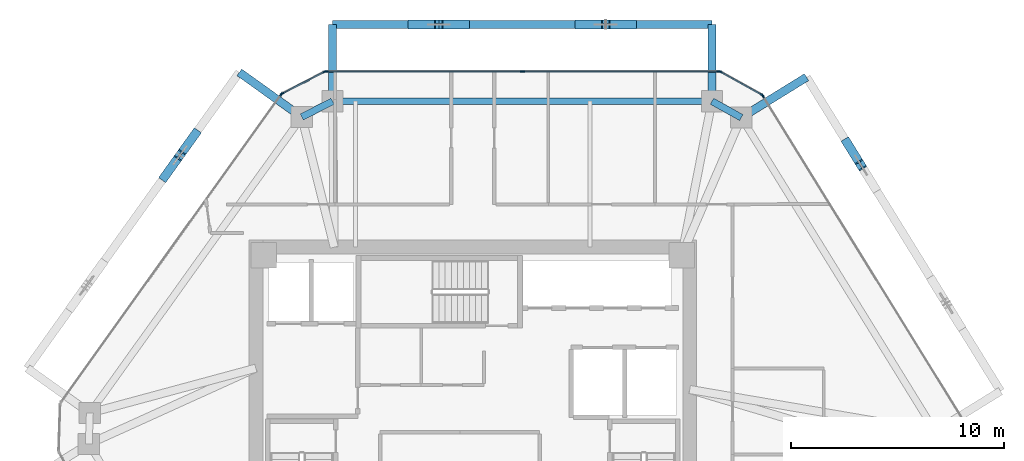
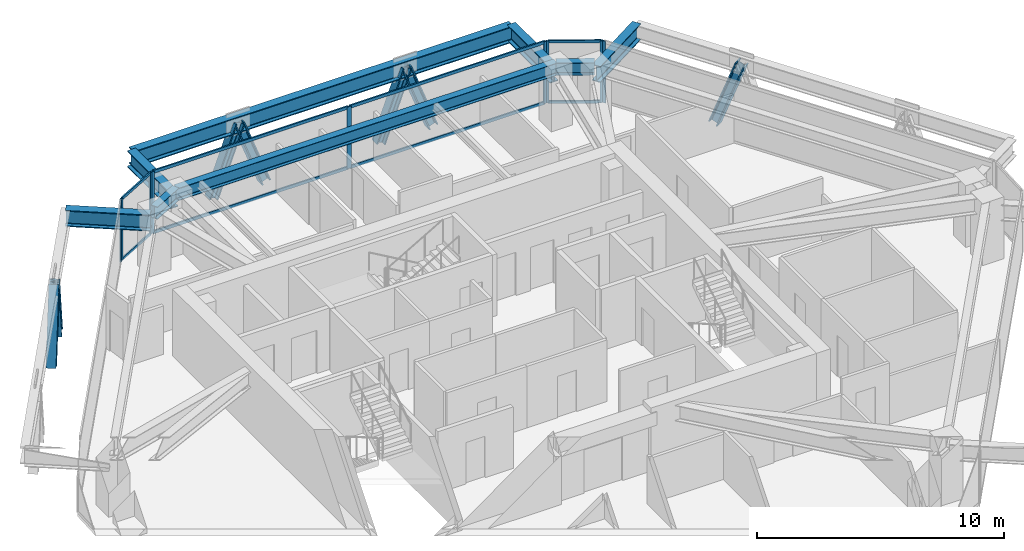
# One storey, part 6 of 14: 24 members, 8 beams, 5 elements without a shape of their own.
"""IFC4 building model written with IfcOpenShell, lengths in metres."""

from ifc_helpers import new_model, si_unit, direction, frame, origin, origin_2d, place, context, subcontext, project, spatial, rectangle, i_section, extrude, source, transform, mapped, material, layer, layer_set, material_profile, profile_set, type_object, type_shapes, element, aggregate, save


model = new_model("IFC4")

# Units and contexts
model_context = context("Model", 3, precision=1e-05, world=origin(), true_north=direction((0.0, 1.0)))
body_context = subcontext(model_context, "Body", "Model", "MODEL_VIEW")
ifc_project = project(units=[si_unit("LENGTHUNIT", "METRE"), si_unit("AREAUNIT", "SQUARE_METRE"), si_unit("VOLUMEUNIT", "CUBIC_METRE"), si_unit("PLANEANGLEUNIT", "RADIAN"), si_unit("MASSUNIT", "GRAM", prefix="KILO")], contexts=[model_context])

# Site, building, storey
site_placement = place(None, origin())
site = spatial("IfcSite", under=ifc_project, at=site_placement, CompositionType="ELEMENT")
building_placement = place(site_placement, origin())
building = spatial("IfcBuilding", under=site, at=building_placement, Name="Durnholm Broadcast Tower", CompositionType="ELEMENT")
storey_placement = place(building_placement, frame((0.0, 0.0, 173.800048828125)))
storey = spatial("IfcBuildingStorey", under=building, at=storey_placement, Name="L47", CompositionType="ELEMENT", Elevation=173.800048828125)

# Beams
ifc_material_1 = material(Name="Steel ASTM A992 Grade 50", Category="steel")
ifc_material_profile_1 = material_profile(ifc_material_1, i_section(OverallWidth=0.385009765625, OverallDepth=0.802978515625, WebThickness=0.023681640625, FlangeThickness=0.0419921875, FilletRadius=0.032958984375, at=origin_2d()), Name="W30X261")
ifc_profile_set_1 = profile_set([ifc_material_profile_1], Name="Steel ASTM A992 Grade 50")
beam_type_1 = type_object("IfcBeamType", Name="BM-EXO-TIE", PredefinedType="USERDEFINED", material=ifc_profile_set_1)
shared_shape_1 = source(origin(), body_context, "Body", "SweptSolid", [
    extrude(i_section(OverallWidth=0.385009765625, OverallDepth=0.802978515625, WebThickness=0.023681640625, FlangeThickness=0.0419921875, FilletRadius=0.032958984375, at=origin_2d()), origin(), (0.0, 0.0, 1.0), 3.4560546875),
])
for number, where, z_axis, x_axis, name in (
    (1, (12.713134765625, 14.327880859375, 2.30859375), (0.850662348375, 0.525712439512, 0.0), (-0.525712439512, 0.850662348375, 0.0), "L47 exoskeleton stand-off tie bracket F3.2"),
    (2, (-8.138916015625, 14.360107421875, 2.30859375), (-0.813079048773, 0.582153296346, 0.0), (-0.582153296346, -0.813079048773, 0.0), "L47 exoskeleton stand-off tie bracket F5.1"),
):
    element("IfcBeam", number, at=place(storey_placement, frame(where, z_axis=z_axis, x_axis=x_axis)), inside=storey, type_object=beam_type_1, Name=name, ObjectType="GIRDER", PredefinedType="USERDEFINED", context=body_context, shape_type="MappedRepresentation", body=[
        mapped(shared_shape_1, transform((0.0, 0.0, 0.0), x_axis=(1.0, 0.0, 0.0), y_axis=(0.0, 1.0, 0.0), z_axis=(0.0, 0.0, 1.0), scale=1.0)),
    ])
shared_shape_2 = source(origin(), body_context, "Body", "SweptSolid", [
    extrude(i_section(OverallWidth=0.385009765625, OverallDepth=0.802978515625, WebThickness=0.023681640625, FlangeThickness=0.0419921875, FilletRadius=0.032958984375, at=origin_2d()), origin(), (0.0, 0.0, 1.0), 3.455810546875),
])
for number, where, z_axis, x_axis, name in (
    (3, (11.217529296875, 15.162109375, 2.30859375), (0.0, 1.0, 0.0), (-1.0, 0.0, 0.0), "L47 exoskeleton stand-off tie bracket F4.1"),
    (4, (-6.57861328125, 15.162109375, 2.30859375), (0.0, 1.0, 0.0), (-1.0, 0.0, 0.0), "L47 exoskeleton stand-off tie bracket F4.2"),
):
    element("IfcBeam", number, at=place(storey_placement, frame(where, z_axis=z_axis, x_axis=x_axis)), inside=storey, type_object=beam_type_1, Name=name, ObjectType="GIRDER", PredefinedType="USERDEFINED", context=body_context, shape_type="MappedRepresentation", body=[
        mapped(shared_shape_2, transform((0.0, 0.0, 0.0), x_axis=(1.0, 0.0, 0.0), y_axis=(0.0, 1.0, 0.0), z_axis=(0.0, 0.0, 1.0), scale=1.0)),
    ])
ifc_material_profile_2 = material_profile(ifc_material_1, i_section(OverallWidth=0.3251953125, OverallDepth=0.6162109375, WebThickness=0.013916015625, FlangeThickness=0.021484375, FilletRadius=0.02783203125, at=origin_2d()), Name="W24X117")
ifc_profile_set_2 = profile_set([ifc_material_profile_2], Name="Steel ASTM A992 Grade 50")
beam_type_2 = type_object("IfcBeamType", Name="STL-SP-W24X117", PredefinedType="SPANDREL", material=ifc_profile_set_2)
shared_shape_3 = source(origin(), body_context, "Body", "SweptSolid", [
    extrude(i_section(OverallWidth=0.3251953125, OverallDepth=0.6162109375, WebThickness=0.013916015625, FlangeThickness=0.021484375, FilletRadius=0.02783203125, at=origin_2d()), origin(), (0.0, 0.0, 1.0), 1.62255859375),
])
beam_1_placement = place(storey_placement, frame((-8.021728515625, 14.2763671875, 2.73681640625), z_axis=(0.889406668864, 0.45711680934, 0.0), x_axis=(-0.45711680934, 0.889406668864, 0.0)))
element("IfcBeam", 5, at=beam_1_placement, inside=storey, type_object=beam_type_2, Name="L47 perimeter spandrel girder 04", PredefinedType="SPANDREL", context=body_context, shape_type="MappedRepresentation", body=[
    mapped(shared_shape_3, transform((0.0, 0.0, 0.0), x_axis=(1.0, 0.0, 0.0), y_axis=(0.0, 1.0, 0.0), z_axis=(0.0, 0.0, 1.0), scale=1.0)),
])
shared_shape_4 = source(origin(), body_context, "Body", "SweptSolid", [
    extrude(i_section(OverallWidth=0.3251953125, OverallDepth=0.6162109375, WebThickness=0.013916015625, FlangeThickness=0.021484375, FilletRadius=0.02783203125, at=origin_2d()), origin(), (0.0, 0.0, 1.0), 17.796142578125),
])
beam_2_placement = place(storey_placement, frame((-6.57861328125, 15.01806640625, 2.73681640625), z_axis=(1.0, 0.0, 0.0), x_axis=(0.0, 1.0, 0.0)))
element("IfcBeam", 6, at=beam_2_placement, inside=storey, type_object=beam_type_2, Name="L47 perimeter spandrel girder 05", PredefinedType="SPANDREL", context=body_context, shape_type="MappedRepresentation", body=[
    mapped(shared_shape_4, transform((0.0, 0.0, 0.0), x_axis=(1.0, 0.0, 0.0), y_axis=(0.0, 1.0, 0.0), z_axis=(0.0, 0.0, 1.0), scale=1.0)),
])
shared_shape_5 = source(origin(), body_context, "Body", "SweptSolid", [
    extrude(i_section(OverallWidth=0.3251953125, OverallDepth=0.6162109375, WebThickness=0.013916015625, FlangeThickness=0.021484375, FilletRadius=0.02783203125, at=origin_2d()), origin(), (0.0, 0.0, 1.0), 1.572509765625),
])
type_shapes(beam_type_2, [shared_shape_3, shared_shape_4, shared_shape_5])
beam_3_placement = place(storey_placement, frame((11.217529296875, 15.01806640625, 2.73681640625), z_axis=(0.873365144476, -0.487066037017, 0.0), x_axis=(0.487066037017, 0.873365144476, 0.0)))
element("IfcBeam", 7, at=beam_3_placement, inside=storey, type_object=beam_type_2, Name="L47 perimeter spandrel girder 06", PredefinedType="SPANDREL", context=body_context, shape_type="MappedRepresentation", body=[
    mapped(shared_shape_5, transform((0.0, 0.0, 0.0), x_axis=(1.0, 0.0, 0.0), y_axis=(0.0, 1.0, 0.0), z_axis=(0.0, 0.0, 1.0), scale=1.0)),
])
shared_shape_6 = source(origin(), body_context, "Body", "SweptSolid", [
    extrude(i_section(OverallWidth=0.385009765625, OverallDepth=0.802978515625, WebThickness=0.023681640625, FlangeThickness=0.0419921875, FilletRadius=0.032958984375, at=origin_2d()), origin(), (0.0, 0.0, 1.0), 17.796142578125),
])
type_shapes(beam_type_1, [shared_shape_1, shared_shape_2, shared_shape_6])
beam_4_placement = place(storey_placement, frame((11.217529296875, 18.617919921875, 2.30859375), z_axis=(-1.0, 0.0, 0.0), x_axis=(0.0, -1.0, 0.0)))
element("IfcBeam", 8, at=beam_4_placement, inside=storey, type_object=beam_type_1, Name="L47 exoskeleton collector spandrel F4", PredefinedType="SPANDREL", context=body_context, shape_type="MappedRepresentation", body=[
    mapped(shared_shape_6, transform((0.0, 0.0, 0.0), x_axis=(1.0, 0.0, 0.0), y_axis=(0.0, 1.0, 0.0), z_axis=(0.0, 0.0, 1.0), scale=1.0)),
])

# Members
ifc_material_2 = material(Name="Steel ASTM A913 Grade 65", Category="steel")
ifc_material_profile_3 = material_profile(ifc_material_2, i_section(OverallWidth=0.412109375, OverallDepth=0.434814453125, WebThickness=0.035888671875, FlangeThickness=0.057373046875, FilletRadius=0.030517578125, at=origin_2d()), Name="W14X311")
ifc_profile_set_3 = profile_set([ifc_material_profile_3], Name="Steel ASTM A913 Grade 65")
member_type_1 = type_object("IfcMemberType", Name="STL-DG-W14X311", PredefinedType="BRACE", material=ifc_profile_set_3)
shared_shape_7 = source(origin(), body_context, "Body", "SweptSolid", [
    extrude(i_section(OverallWidth=0.412109375, OverallDepth=0.434814453125, WebThickness=0.035888671875, FlangeThickness=0.057373046875, FilletRadius=0.030517578125, at=origin_2d()), origin(), (0.0, 0.0, 1.0), 3.523193359375),
])
type_shapes(member_type_1, [shared_shape_7])
for number, where, z_axis, x_axis, name in (
    (9, (17.551513671875, 13.072998046875, -0.991455078125), (0.184115236318, -0.297965945114, 0.936652483746), (0.850699125742, 0.525652924906, 0.0), "L47 stand-off diagrid brace F3.D2.2"),
    (10, (7.468505859375, 18.617919921875, -0.991455078125), (-0.350219588454, 0.0, 0.936667625075), (0.0, -1.0, 0.0), "L47 stand-off diagrid brace F4.D1.1"),
    (11, (5.000732421875, 18.617919921875, -0.991455078125), (0.350219588454, 0.0, 0.936667625075), (0.0, 1.0, 0.0), "L47 stand-off diagrid brace F4.D1.2"),
    (12, (-0.36181640625, 18.617919921875, -0.991455078125), (-0.350219588454, 0.0, 0.936667625075), (0.0, -1.0, 0.0), "L47 stand-off diagrid brace F4.D2.1"),
    (13, (-2.82958984375, 18.617919921875, -0.991455078125), (0.350219588454, 0.0, 0.936667625075), (0.0, 1.0, 0.0), "L47 stand-off diagrid brace F4.D2.2"),
    (14, (-13.013427734375, 13.48876953125, -0.991455078125), (-0.203869234398, -0.284737826017, 0.936675880815), (0.813077820009, -0.582155012526, 0.0), "L47 stand-off diagrid brace F5.D1.1"),
    (15, (-14.449951171875, 11.482421875, -0.991455078125), (0.203869234398, 0.284737826017, 0.936675880815), (-0.813077820009, 0.582155012526, 0.0), "L47 stand-off diagrid brace F5.D1.2"),
):
    element("IfcMember", number, at=place(storey_placement, frame(where, z_axis=z_axis, x_axis=x_axis)), inside=storey, type_object=member_type_1, Name=name, PredefinedType="BRACE", context=body_context, shape_type="MappedRepresentation", body=[
        mapped(shared_shape_7, transform((0.0, 0.0, 0.0), x_axis=(1.0, 0.0, 0.0), y_axis=(0.0, 1.0, 0.0), z_axis=(0.0, 0.0, 1.0), scale=1.0)),
    ])

# Curtain wall, members
ifc_material_3 = material(Name="Aluminium and Solar Control IGU", Category="aluminium")
ifc_layer_1 = layer(ifc_material_3, 0.1650390625)
ifc_layer_set_1 = layer_set([ifc_layer_1], Name="Aluminium and Solar Control IGU")
curtain_wall_type_1 = type_object("IfcCurtainWallType", Name="CW-SYS-5", PredefinedType="NOTDEFINED", material=ifc_layer_set_1)
curtain_wall_1_placement = place(storey_placement, origin())
curtain_wall_1 = element("IfcCurtainWall", 16, at=curtain_wall_1_placement, inside=storey, type_object=curtain_wall_type_1, Name="L47 curtain wall CW-CORNER CW-L47-CRN-03", PredefinedType="NOTDEFINED")
ifc_material_4 = material(Name="Aluminium 6063-T6", Category="aluminium")
ifc_material_profile_4 = material_profile(ifc_material_4, rectangle(XDim=0.06494140625, YDim=0.1650390625, at=origin_2d()), Name="CWM65X165")
ifc_profile_set_4 = profile_set([ifc_material_profile_4], Name="Aluminium 6063-T6")
member_type_2 = type_object("IfcMemberType", Name="CW-SYS-5-MUL", PredefinedType="MULLION", material=ifc_profile_set_4)
shared_shape_8 = source(origin(), body_context, "Body", "SweptSolid", [
    extrude(rectangle(XDim=0.06494140625, YDim=0.1650390625, at=origin_2d()), origin(), (0.0, 0.0, 1.0), 3.06005859375),
])
type_shapes(member_type_2, [shared_shape_8])
member_1_placement = place(storey_placement, frame((-8.93408203125, 15.381591796875, 0.0), z_axis=(0.0, 0.0, 1.0), x_axis=(-0.457081764476, 0.889424679545, 0.0)))
member_1 = element("IfcMember", 17, at=member_1_placement, type_object=member_type_2, Name="CW-CORNER mullion 1", PredefinedType="MULLION", context=body_context, shape_type="MappedRepresentation", body=[
    mapped(shared_shape_8, transform((0.0, 0.0, 0.0), x_axis=(1.0, 0.0, 0.0), y_axis=(0.0, 1.0, 0.0), z_axis=(0.0, 0.0, 1.0), scale=1.0)),
])
member_2_placement = place(storey_placement, frame((-6.9462890625, 16.403076171875, 0.0), z_axis=(0.0, 0.0, 1.0), x_axis=(-0.457081764476, 0.889424679545, 0.0)))
member_2 = element("IfcMember", 18, at=member_2_placement, type_object=member_type_2, Name="CW-CORNER mullion 2", PredefinedType="MULLION", context=body_context, shape_type="MappedRepresentation", body=[
    mapped(shared_shape_8, transform((0.0, 0.0, 0.0), x_axis=(1.0, 0.0, 0.0), y_axis=(0.0, 1.0, 0.0), z_axis=(0.0, 0.0, 1.0), scale=1.0)),
])

curtain_wall_2_placement = place(storey_placement, origin())
curtain_wall_2 = element("IfcCurtainWall", 19, at=curtain_wall_2_placement, inside=storey, type_object=curtain_wall_type_1, Name="L47 curtain wall CW-CORNER CW-L47-CRN-05", PredefinedType="NOTDEFINED")
member_3_placement = place(storey_placement, frame((11.60986328125, 16.402099609375, 0.0), z_axis=(0.0, 0.0, 1.0), x_axis=(0.486986043316, 0.873409751271, 0.0)))
member_3 = element("IfcMember", 20, at=member_3_placement, type_object=member_type_2, Name="CW-CORNER mullion 1", PredefinedType="MULLION", context=body_context, shape_type="MappedRepresentation", body=[
    mapped(shared_shape_8, transform((0.0, 0.0, 0.0), x_axis=(1.0, 0.0, 0.0), y_axis=(0.0, 1.0, 0.0), z_axis=(0.0, 0.0, 1.0), scale=1.0)),
])
member_4_placement = place(storey_placement, frame((13.56201171875, 15.313720703125, 0.0), z_axis=(0.0, 0.0, 1.0), x_axis=(0.486986043316, 0.873409751271, 0.0)))
member_4 = element("IfcMember", 21, at=member_4_placement, type_object=member_type_2, Name="CW-CORNER mullion 2", PredefinedType="MULLION", context=body_context, shape_type="MappedRepresentation", body=[
    mapped(shared_shape_8, transform((0.0, 0.0, 0.0), x_axis=(1.0, 0.0, 0.0), y_axis=(0.0, 1.0, 0.0), z_axis=(0.0, 0.0, 1.0), scale=1.0)),
])

# Member
ifc_material_profile_5 = material_profile(ifc_material_4, rectangle(XDim=0.06494140625, YDim=0.1298828125, at=origin_2d()), Name="CWT65X130")
ifc_profile_set_5 = profile_set([ifc_material_profile_5], Name="Aluminium 6063-T6")
member_type_3 = type_object("IfcMemberType", Name="CW-SYS-5-TRN", PredefinedType="USERDEFINED", material=ifc_profile_set_5)
shared_shape_9 = source(origin(), body_context, "Body", "SweptSolid", [
    extrude(rectangle(XDim=0.06494140625, YDim=0.1298828125, at=origin_2d()), origin(), (0.0, 0.0, 1.0), 2.169921875),
])
type_shapes(member_type_3, [shared_shape_9])
member_5_placement = place(storey_placement, frame((-8.9052734375, 15.396484375, 0.032470703125), z_axis=(0.889468148591, 0.456997169185, 0.0), x_axis=(-0.456997169185, 0.889468148591, 0.0)))
member_5 = element("IfcMember", 22, at=member_5_placement, type_object=member_type_3, Name="CW-CORNER transom 1.1", ObjectType="TRANSOM", PredefinedType="USERDEFINED", context=body_context, shape_type="MappedRepresentation", body=[
    mapped(shared_shape_9, transform((0.0, 0.0, 0.0), x_axis=(1.0, 0.0, 0.0), y_axis=(0.0, 1.0, 0.0), z_axis=(0.0, 0.0, 1.0), scale=1.0)),
])

member_6_placement = place(storey_placement, frame((-8.9052734375, 15.396484375, 3.02734375), z_axis=(0.889468148591, 0.456997169185, 0.0), x_axis=(-0.456997169185, 0.889468148591, 0.0)))
member_6 = element("IfcMember", 23, at=member_6_placement, type_object=member_type_3, Name="CW-CORNER transom 1.2", ObjectType="TRANSOM", PredefinedType="USERDEFINED", context=body_context, shape_type="MappedRepresentation", body=[
    mapped(shared_shape_9, transform((0.0, 0.0, 0.0), x_axis=(1.0, 0.0, 0.0), y_axis=(0.0, 1.0, 0.0), z_axis=(0.0, 0.0, 1.0), scale=1.0)),
])

aggregate(curtain_wall_1, [member_1, member_2, member_5, member_6])

member_7_placement = place(storey_placement, frame((11.63818359375, 16.38623046875, 0.032470703125), z_axis=(0.873429215361, -0.48695113282, 0.0), x_axis=(0.48695113282, 0.873429215361, 0.0)))
member_7 = element("IfcMember", 24, at=member_7_placement, type_object=member_type_3, Name="CW-CORNER transom 1.1", ObjectType="TRANSOM", PredefinedType="USERDEFINED", context=body_context, shape_type="MappedRepresentation", body=[
    mapped(shared_shape_9, transform((0.0, 0.0, 0.0), x_axis=(1.0, 0.0, 0.0), y_axis=(0.0, 1.0, 0.0), z_axis=(0.0, 0.0, 1.0), scale=1.0)),
])

member_8_placement = place(storey_placement, frame((11.63818359375, 16.38623046875, 3.02734375), z_axis=(0.873429215361, -0.48695113282, 0.0), x_axis=(0.48695113282, 0.873429215361, 0.0)))
member_8 = element("IfcMember", 25, at=member_8_placement, type_object=member_type_3, Name="CW-CORNER transom 1.2", ObjectType="TRANSOM", PredefinedType="USERDEFINED", context=body_context, shape_type="MappedRepresentation", body=[
    mapped(shared_shape_9, transform((0.0, 0.0, 0.0), x_axis=(1.0, 0.0, 0.0), y_axis=(0.0, 1.0, 0.0), z_axis=(0.0, 0.0, 1.0), scale=1.0)),
])

aggregate(curtain_wall_2, [member_3, member_4, member_7, member_8])

# Curtain wall, members
ifc_layer_2 = layer(ifc_material_3, 0.18994140625)
ifc_layer_set_2 = layer_set([ifc_layer_2], Name="Aluminium and Solar Control IGU")
curtain_wall_type_2 = type_object("IfcCurtainWallType", Name="CW-SYS-4", PredefinedType="NOTDEFINED", material=ifc_layer_set_2)
curtain_wall_3_placement = place(storey_placement, origin())
curtain_wall_3 = element("IfcCurtainWall", 26, at=curtain_wall_3_placement, inside=storey, type_object=curtain_wall_type_2, Name="L47 curtain wall CW-Z34-VIS CW-L47-F04", PredefinedType="NOTDEFINED")
ifc_material_profile_6 = material_profile(ifc_material_4, rectangle(XDim=0.070068359375, YDim=0.14990234375, at=origin_2d()), Name="CWT70X150")
ifc_profile_set_6 = profile_set([ifc_material_profile_6], Name="Aluminium 6063-T6")
member_type_4 = type_object("IfcMemberType", Name="CW-SYS-4-TRN", PredefinedType="USERDEFINED", material=ifc_profile_set_6)
shared_shape_10 = source(origin(), body_context, "Body", "SweptSolid", [
    extrude(rectangle(XDim=0.070068359375, YDim=0.14990234375, at=origin_2d()), origin(), (0.0, 0.0, 1.0), 9.14453125),
])
type_shapes(member_type_4, [shared_shape_10])
member_9_placement = place(storey_placement, frame((-6.847412109375, 16.41796875, 0.034912109375), z_axis=(1.0, 0.0, 0.0), x_axis=(0.0, 1.0, 0.0)))
member_9 = element("IfcMember", 27, at=member_9_placement, type_object=member_type_4, Name="CW-Z34-VIS transom 1.1", ObjectType="TRANSOM", PredefinedType="USERDEFINED", context=body_context, shape_type="MappedRepresentation", body=[
    mapped(shared_shape_10, transform((0.0, 0.0, 0.0), x_axis=(1.0, 0.0, 0.0), y_axis=(0.0, 1.0, 0.0), z_axis=(0.0, 0.0, 1.0), scale=1.0)),
])
member_10_placement = place(storey_placement, frame((-6.847412109375, 16.41796875, 3.02490234375), z_axis=(1.0, 0.0, 0.0), x_axis=(0.0, 1.0, 0.0)))
member_10 = element("IfcMember", 28, at=member_10_placement, type_object=member_type_4, Name="CW-Z34-VIS transom 1.2", ObjectType="TRANSOM", PredefinedType="USERDEFINED", context=body_context, shape_type="MappedRepresentation", body=[
    mapped(shared_shape_10, transform((0.0, 0.0, 0.0), x_axis=(1.0, 0.0, 0.0), y_axis=(0.0, 1.0, 0.0), z_axis=(0.0, 0.0, 1.0), scale=1.0)),
])
member_11_placement = place(storey_placement, frame((2.366943359375, 16.41796875, 0.034912109375), z_axis=(1.0, 0.0, 0.0), x_axis=(0.0, 1.0, 0.0)))
member_11 = element("IfcMember", 29, at=member_11_placement, type_object=member_type_4, Name="CW-Z34-VIS transom 2.1", ObjectType="TRANSOM", PredefinedType="USERDEFINED", context=body_context, shape_type="MappedRepresentation", body=[
    mapped(shared_shape_10, transform((0.0, 0.0, 0.0), x_axis=(1.0, 0.0, 0.0), y_axis=(0.0, 1.0, 0.0), z_axis=(0.0, 0.0, 1.0), scale=1.0)),
])
member_12_placement = place(storey_placement, frame((2.366943359375, 16.41796875, 3.02490234375), z_axis=(1.0, 0.0, 0.0), x_axis=(0.0, 1.0, 0.0)))
member_12 = element("IfcMember", 30, at=member_12_placement, type_object=member_type_4, Name="CW-Z34-VIS transom 2.2", ObjectType="TRANSOM", PredefinedType="USERDEFINED", context=body_context, shape_type="MappedRepresentation", body=[
    mapped(shared_shape_10, transform((0.0, 0.0, 0.0), x_axis=(1.0, 0.0, 0.0), y_axis=(0.0, 1.0, 0.0), z_axis=(0.0, 0.0, 1.0), scale=1.0)),
])

# Curtain wall, member
curtain_wall_4_placement = place(storey_placement, origin())
curtain_wall_4 = element("IfcCurtainWall", 31, at=curtain_wall_4_placement, inside=storey, type_object=curtain_wall_type_2, Name="L47 curtain wall CW-Z34-VIS CW-L47-F02", PredefinedType="NOTDEFINED")
ifc_material_profile_7 = material_profile(ifc_material_4, rectangle(XDim=0.070068359375, YDim=0.18994140625, at=origin_2d()), Name="CWM70X190")
ifc_profile_set_7 = profile_set([ifc_material_profile_7], Name="Aluminium 6063-T6")
member_type_5 = type_object("IfcMemberType", Name="CW-SYS-4-MUL", PredefinedType="MULLION", material=ifc_profile_set_7)
shared_shape_11 = source(origin(), body_context, "Body", "SweptSolid", [
    extrude(rectangle(XDim=0.070068359375, YDim=0.18994140625, at=origin_2d()), origin(), (0.0, 0.0, 1.0), 3.06005859375),
])
type_shapes(member_type_5, [shared_shape_11])
member_13_placement = place(storey_placement, frame((-8.9833984375, 15.338134765625, 0.0), z_axis=(0.0, 0.0, 1.0), x_axis=(-0.813089262696, 0.582139030549, 0.0)))
member_13 = element("IfcMember", 32, at=member_13_placement, type_object=member_type_5, Name="CW-Z34-VIS mullion 2", PredefinedType="MULLION", context=body_context, shape_type="MappedRepresentation", body=[
    mapped(shared_shape_11, transform((0.0, 0.0, 0.0), x_axis=(1.0, 0.0, 0.0), y_axis=(0.0, 1.0, 0.0), z_axis=(0.0, 0.0, 1.0), scale=1.0)),
])
aggregate(curtain_wall_4, [member_13])

# Member
member_14_placement = place(storey_placement, frame((-6.88232421875, 16.41796875, 0.0), z_axis=(0.0, 0.0, 1.0), x_axis=(0.0, 1.0, 0.0)))
member_14 = element("IfcMember", 33, at=member_14_placement, type_object=member_type_5, Name="CW-Z34-VIS mullion 1", PredefinedType="MULLION", context=body_context, shape_type="MappedRepresentation", body=[
    mapped(shared_shape_11, transform((0.0, 0.0, 0.0), x_axis=(1.0, 0.0, 0.0), y_axis=(0.0, 1.0, 0.0), z_axis=(0.0, 0.0, 1.0), scale=1.0)),
])

member_15_placement = place(storey_placement, frame((2.33203125, 16.41796875, 0.0), z_axis=(0.0, 0.0, 1.0), x_axis=(0.0, 1.0, 0.0)))
member_15 = element("IfcMember", 34, at=member_15_placement, type_object=member_type_5, Name="CW-Z34-VIS mullion 2", PredefinedType="MULLION", context=body_context, shape_type="MappedRepresentation", body=[
    mapped(shared_shape_11, transform((0.0, 0.0, 0.0), x_axis=(1.0, 0.0, 0.0), y_axis=(0.0, 1.0, 0.0), z_axis=(0.0, 0.0, 1.0), scale=1.0)),
])

member_16_placement = place(storey_placement, frame((11.54638671875, 16.41796875, 0.0), z_axis=(0.0, 0.0, 1.0), x_axis=(0.0, 1.0, 0.0)))
member_16 = element("IfcMember", 35, at=member_16_placement, type_object=member_type_5, Name="CW-Z34-VIS mullion 3", PredefinedType="MULLION", context=body_context, shape_type="MappedRepresentation", body=[
    mapped(shared_shape_11, transform((0.0, 0.0, 0.0), x_axis=(1.0, 0.0, 0.0), y_axis=(0.0, 1.0, 0.0), z_axis=(0.0, 0.0, 1.0), scale=1.0)),
])

aggregate(curtain_wall_3, [member_14, member_15, member_16, member_9, member_10, member_11, member_12])

# Curtain wall, member
curtain_wall_5_placement = place(storey_placement, origin())
curtain_wall_5 = element("IfcCurtainWall", 36, at=curtain_wall_5_placement, inside=storey, type_object=curtain_wall_type_2, Name="L47 curtain wall CW-Z34-VIS CW-L47-F06", PredefinedType="NOTDEFINED")
member_17_placement = place(storey_placement, frame((13.608642578125, 15.26806640625, 0.0), z_axis=(0.0, 0.0, 1.0), x_axis=(0.850671426092, 0.525697750452, 0.0)))
member_17 = element("IfcMember", 37, at=member_17_placement, type_object=member_type_5, Name="CW-Z34-VIS mullion 1", PredefinedType="MULLION", context=body_context, shape_type="MappedRepresentation", body=[
    mapped(shared_shape_11, transform((0.0, 0.0, 0.0), x_axis=(1.0, 0.0, 0.0), y_axis=(0.0, 1.0, 0.0), z_axis=(0.0, 0.0, 1.0), scale=1.0)),
])
aggregate(curtain_wall_5, [member_17])

save(model, "model.ifc")
